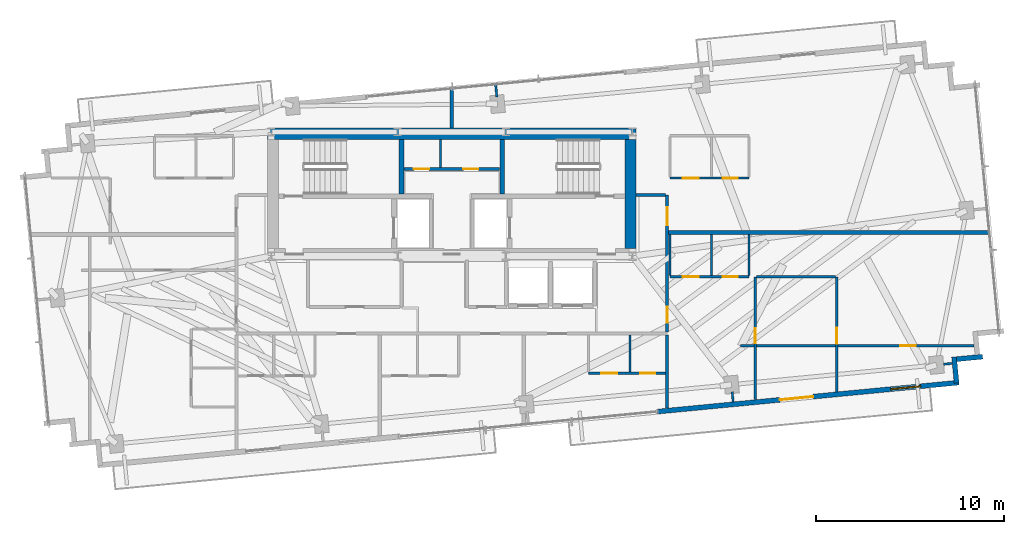
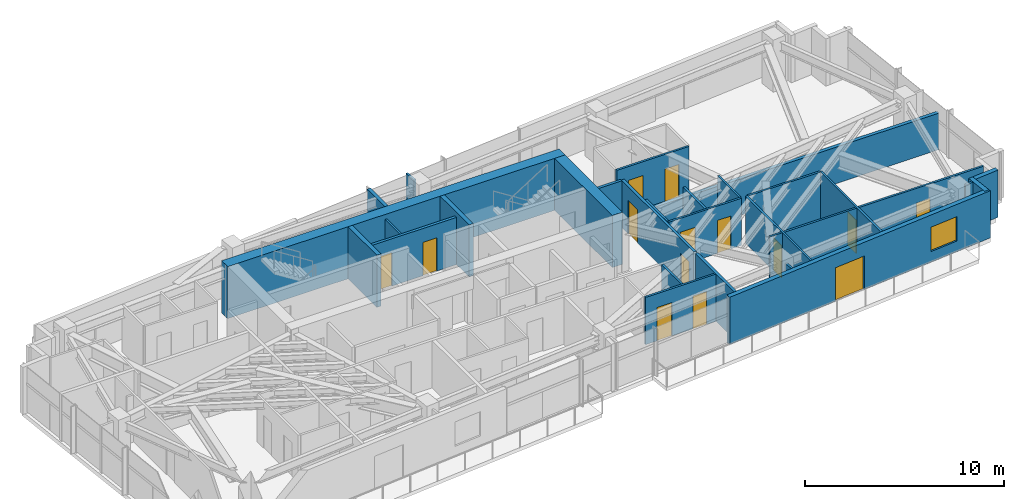
# One storey, part 15 of 18: 30 walls, 14 doors, 1 window, 15 openings.
"""IFC4 building model written with IfcOpenShell, lengths in metres."""

from ifc_helpers import new_model, si_unit, direction, frame, frame_2d, origin, place, context, subcontext, project, spatial, rectangle, extrude, source, transform, mapped, material, layer, layer_set, type_object, type_shapes, element, fill, save


model = new_model("IFC4")

# Units and contexts
model_context = context("Model", 3, precision=1e-05, world=origin(), true_north=direction((0.0, 1.0)))
body_context = subcontext(model_context, "Body", "Model", "MODEL_VIEW")
ifc_project = project(units=[si_unit("LENGTHUNIT", "METRE"), si_unit("AREAUNIT", "SQUARE_METRE"), si_unit("VOLUMEUNIT", "CUBIC_METRE"), si_unit("PLANEANGLEUNIT", "RADIAN"), si_unit("MASSUNIT", "GRAM", prefix="KILO")], contexts=[model_context])

# Site, building, storey
site_placement = place(None, origin())
site = spatial("IfcSite", under=ifc_project, at=site_placement, CompositionType="ELEMENT")
building_placement = place(site_placement, origin())
building = spatial("IfcBuilding", under=site, at=building_placement, Name="Astriad Promenade Condominiums", CompositionType="ELEMENT")
storey_placement = place(building_placement, frame((0.0, 0.0, 208.199951171875)))
storey = spatial("IfcBuildingStorey", under=building, at=storey_placement, Name="L60", CompositionType="ELEMENT", Elevation=208.199951171875)

# Walls
ifc_material_1 = material(Name="Concrete C50/60", Category="concrete")
ifc_layer_1 = layer(ifc_material_1, 0.60009765625)
ifc_layer_set_1 = layer_set([ifc_layer_1], Name="Concrete C50/60")
wall_type_1 = type_object("IfcWallType", Name="CW-SHEAR-600", PredefinedType="SHEAR", material=ifc_layer_set_1)
wall_1_placement = place(storey_placement, frame((26.199951171875, 23.89990234375, 0.0), z_axis=(0.0, 0.0, 1.0), x_axis=(1.0, 0.0, 0.0)))
element("IfcWall", 1, at=wall_1_placement, inside=storey, type_object=wall_type_1, Name="CW-CORE-N-L60", PredefinedType="SHEAR", context=body_context, shape_type="SweptSolid", body=[
    extrude(rectangle(XDim=19.60009765625, YDim=0.60009765625, at=frame_2d((9.800048828125, 0.0))), origin(), (0.0, 0.0, 1.0), 3.199951171875),
])
wall_2_placement = place(storey_placement, frame((45.5, 17.802001953125, 0.0), z_axis=(0.0, 0.0, 1.0), x_axis=(0.0, 1.0, 0.0)))
element("IfcWall", 2, at=wall_2_placement, inside=storey, type_object=wall_type_1, Name="CW-CORE-E-L60", PredefinedType="SHEAR", context=body_context, shape_type="SweptSolid", body=[
    extrude(rectangle(XDim=5.7958984375, YDim=0.60009765625, at=frame_2d((2.89794921875, 0.0))), origin(), (0.0, 0.0, 1.0), 3.199951171875),
])
ifc_layer_2 = layer(ifc_material_1, 0.25)
ifc_layer_set_2 = layer_set([ifc_layer_2], Name="Concrete C50/60")
wall_type_2 = type_object("IfcWallType", Name="WALL-CORE-INT-250", PredefinedType="SOLIDWALL", material=ifc_layer_set_2)
for number, where, z_axis, x_axis, name in (
    (3, (33.324951171875, 20.701904296875, 0.0), (0.0, 0.0, 1.0), (0.0, 1.0, 0.0), "CW-ST1-E-L60"),
    (4, (38.675048828125, 20.701904296875, 0.0), (0.0, 0.0, 1.0), (0.0, 1.0, 0.0), "CW-ST2-W-L60"),
):
    element("IfcWall", number, at=place(storey_placement, frame(where, z_axis=z_axis, x_axis=x_axis)), inside=storey, type_object=wall_type_2, Name=name, PredefinedType="SOLIDWALL", context=body_context, shape_type="SweptSolid", body=[
        extrude(rectangle(XDim=2.89599609375, YDim=0.25, at=frame_2d((1.447998046875, 0.0))), origin(), (0.0, 0.0, 1.0), 3.199951171875),
    ])

# Wall, openings, doors
ifc_material_2 = material(Name="Fire-Rated Gypsum Partition")
ifc_layer_3 = layer(ifc_material_2, 0.159912109375)
ifc_layer_set_3 = layer_set([ifc_layer_3], Name="Fire-Rated Gypsum Partition")
wall_type_3 = type_object("IfcWallType", Name="WALL-CORR-160", PredefinedType="PARTITIONING", material=ifc_layer_set_3)
wall_3_placement = place(storey_placement, frame((33.451904296875, 22.030029296875, 0.0), z_axis=(0.0, 0.0, 1.0), x_axis=(1.0, 0.0, 0.0)))
wall_3 = element("IfcWall", 5, at=wall_3_placement, inside=storey, type_object=wall_type_3, Name="CW-AUX-N-L60", PredefinedType="PARTITIONING", context=body_context, shape_type="SweptSolid", body=[
    extrude(rectangle(XDim=5.09619140625, YDim=0.159912109375, at=frame_2d((2.548095703125, 0.0))), origin(), (0.0, 0.0, 1.0), 2.900146484375),
])
opening_1_placement = place(wall_3_placement, frame((0.5380859375, 0.0, 0.0)))
opening_1 = element("IfcOpeningElement", 6, at=opening_1_placement, cuts=wall_3, Name="Opening FD60-SV-080", PredefinedType="OPENING", context=body_context, shape_type="SweptSolid", body=[
    extrude(rectangle(XDim=0.800048828125, YDim=2.050048828125, at=frame_2d((0.39990234375, 1.02490234375))), frame((0.0, 0.08984375, 0.0), z_axis=(0.0, -1.0, 0.0), x_axis=(1.0, 0.0, 0.0)), (0.0, 0.0, 1.0), 0.179931640625),
])
opening_2_placement = place(wall_3_placement, frame((3.157958984375, 0.0, 0.0)))
opening_2 = element("IfcOpeningElement", 7, at=opening_2_placement, cuts=wall_3, Name="Opening FD60-SV-080", PredefinedType="OPENING", context=body_context, shape_type="SweptSolid", body=[
    extrude(rectangle(XDim=0.800048828125, YDim=2.050048828125, at=frame_2d((0.39990234375, 1.02490234375))), frame((0.0, 0.08984375, 0.0), z_axis=(0.0, -1.0, 0.0), x_axis=(1.0, 0.0, 0.0)), (0.0, 0.0, 1.0), 0.179931640625),
])
ifc_material_3 = material(Name="Fire-Rated Riser Closet Door")
door_type_1 = type_object("IfcDoorType", Name="FD60-SV-080", OperationType="NOTDEFINED", PredefinedType="DOOR", material=ifc_material_3)
shared_shape_1 = source(origin(), body_context, "Body", "SweptSolid", [
    extrude(rectangle(XDim=0.800048828125, YDim=2.050048828125, at=frame_2d((0.39990234375, 1.02490234375))), frame((0.0, 0.02490234375, 0.0), z_axis=(0.0, -1.0, 0.0), x_axis=(1.0, 0.0, 0.0)), (0.0, 0.0, 1.0), 0.050048828125),
])
type_shapes(door_type_1, [shared_shape_1])
door_1_placement = place(opening_1_placement, origin())
door_1 = element("IfcDoor", 8, at=door_1_placement, inside=storey, type_object=door_type_1, Name="D-AUX1-L60", OperationType="SINGLE_SWING_RIGHT", OverallHeight=2.050048828125, OverallWidth=0.800048828125, PredefinedType="DOOR", context=body_context, shape_type="MappedRepresentation", body=[
    mapped(shared_shape_1, transform((0.0, 0.0, 0.0), scale=1.0)),
])
fill(opening_1, door_1)
door_2_placement = place(opening_2_placement, origin())
door_2 = element("IfcDoor", 9, at=door_2_placement, inside=storey, type_object=door_type_1, Name="D-AUX2-L60", OperationType="SINGLE_SWING_LEFT", OverallHeight=2.050048828125, OverallWidth=0.800048828125, PredefinedType="DOOR", context=body_context, shape_type="MappedRepresentation", body=[
    mapped(shared_shape_1, transform((0.0, 0.0, 0.0), scale=1.0)),
])
fill(opening_2, door_2)

# Wall
wall_4_placement = place(storey_placement, frame((47.449951171875, 9.315185546875, 0.0), z_axis=(0.0, 0.0, 1.0), x_axis=(0.0, 1.0, 0.0)))
element("IfcWall", 10, at=wall_4_placement, inside=storey, type_object=wall_type_3, Name="PT-COR-E-L60", PredefinedType="PARTITIONING", context=body_context, shape_type="SweptSolid", body=[
    extrude(rectangle(XDim=3.8828125, YDim=0.159912109375, at=frame_2d((1.94140625, 0.0))), origin(), (0.0, 0.0, 1.0), 2.900146484375),
])

# Wall, openings, doors
wall_5_placement = place(storey_placement, frame((47.449951171875, 13.362060546875, 0.0), z_axis=(0.0, 0.0, 1.0), x_axis=(0.0, 1.0, 0.0)))
wall_5 = element("IfcWall", 11, at=wall_5_placement, inside=storey, type_object=wall_type_3, Name="PT-COR-E-L60-S2", PredefinedType="PARTITIONING", context=body_context, shape_type="SweptSolid", body=[
    extrude(rectangle(XDim=7.287841796875, YDim=0.159912109375, at=frame_2d((3.64404296875, 0.0))), origin(), (0.0, 0.0, 1.0), 2.900146484375),
])
opening_3_placement = place(wall_5_placement, frame((0.492919921875, 0.0, 0.0)))
opening_3 = element("IfcOpeningElement", 12, at=opening_3_placement, cuts=wall_5, Name="Opening FD60-ULOW-085", PredefinedType="OPENING", context=body_context, shape_type="SweptSolid", body=[
    extrude(rectangle(XDim=0.85009765625, YDim=2.0, at=frame_2d((0.425048828125, 1.0))), frame((0.0, 0.08984375, 0.0), z_axis=(0.0, -1.0, 0.0), x_axis=(1.0, 0.0, 0.0)), (0.0, 0.0, 1.0), 0.179931640625),
])
opening_4_placement = place(wall_5_placement, frame((5.680908203125, 0.0, 0.0)))
opening_4 = element("IfcOpeningElement", 13, at=opening_4_placement, cuts=wall_5, Name="Opening FD60-APT-095", PredefinedType="OPENING", context=body_context, shape_type="SweptSolid", body=[
    extrude(rectangle(XDim=0.949951171875, YDim=2.06005859375, at=frame_2d((0.47509765625, 1.030029296875))), frame((0.0, 0.08984375, 0.0), z_axis=(0.0, -1.0, 0.0), x_axis=(1.0, 0.0, 0.0)), (0.0, 0.0, 1.0), 0.179931640625),
])
ifc_material_4 = material(Name="Solid-Core Acoustic Timber Residence Entry Door", Category="wood")
door_type_2 = type_object("IfcDoorType", Name="FD60-APT-095", OperationType="NOTDEFINED", PredefinedType="DOOR", material=ifc_material_4)
shared_shape_2 = source(origin(), body_context, "Body", "SweptSolid", [
    extrude(rectangle(XDim=0.949951171875, YDim=2.06005859375, at=frame_2d((0.47509765625, 1.030029296875))), frame((0.0, 0.02490234375, 0.0), z_axis=(0.0, -1.0, 0.0), x_axis=(1.0, 0.0, 0.0)), (0.0, 0.0, 1.0), 0.050048828125),
])
type_shapes(door_type_2, [shared_shape_2])
door_3_placement = place(opening_4_placement, origin())
door_3 = element("IfcDoor", 14, at=door_3_placement, inside=storey, type_object=door_type_2, Name="D-ENT-L60-E2", OperationType="SINGLE_SWING_RIGHT", OverallHeight=2.06005859375, OverallWidth=0.949951171875, PredefinedType="DOOR", context=body_context, shape_type="MappedRepresentation", body=[
    mapped(shared_shape_2, transform((0.0, 0.0, 0.0), scale=1.0)),
])
fill(opening_4, door_3)
ifc_material_5 = material(Name="Solid-Core Low-Headroom Fire Door")
door_type_3 = type_object("IfcDoorType", Name="FD60-ULOW-085", OperationType="NOTDEFINED", PredefinedType="DOOR", material=ifc_material_5)
shared_shape_3 = source(origin(), body_context, "Body", "SweptSolid", [
    extrude(rectangle(XDim=0.85009765625, YDim=2.0, at=frame_2d((0.425048828125, 1.0))), frame((0.0, 0.02490234375, 0.0), z_axis=(0.0, -1.0, 0.0), x_axis=(1.0, 0.0, 0.0)), (0.0, 0.0, 1.0), 0.050048828125),
])
type_shapes(door_type_3, [shared_shape_3])
door_4_placement = place(opening_3_placement, origin())
door_4 = element("IfcDoor", 15, at=door_4_placement, inside=storey, type_object=door_type_3, Name="D-ENT-L60-E1", OperationType="SINGLE_SWING_RIGHT", OverallHeight=2.0, OverallWidth=0.85009765625, PredefinedType="DOOR", context=body_context, shape_type="MappedRepresentation", body=[
    mapped(shared_shape_3, transform((0.0, 0.0, 0.0), scale=1.0)),
])
fill(opening_3, door_4)

# Walls
wall_6_placement = place(storey_placement, frame((45.802001953125, 20.64990234375, 0.0), z_axis=(0.0, 0.0, 1.0), x_axis=(1.0, 0.0, 0.0)))
element("IfcWall", 16, at=wall_6_placement, inside=storey, type_object=wall_type_3, Name="PT-Z3E-N-L60", PredefinedType="PARTITIONING", context=body_context, shape_type="SweptSolid", body=[
    extrude(rectangle(XDim=1.56591796875, YDim=0.159912109375, at=frame_2d((0.782958984375, 0.0))), origin(), (0.0, 0.0, 1.0), 2.900146484375),
])
ifc_material_6 = material(Name="Acoustic Double-Stud Gypsum Partition")
ifc_layer_4 = layer(ifc_material_6, 0.199951171875)
ifc_layer_set_4 = layer_set([ifc_layer_4], Name="Acoustic Double-Stud Gypsum Partition")
wall_type_4 = type_object("IfcWallType", Name="WALL-DEMISING-200", PredefinedType="PARTITIONING", material=ifc_layer_set_4)
wall_7_placement = place(storey_placement, frame((36.0, 24.201904296875, 0.0), z_axis=(0.0, 0.0, 1.0), x_axis=(0.0, 1.0, 0.0)))
element("IfcWall", 17, at=wall_7_placement, inside=storey, type_object=wall_type_4, Name="PT-NC-MID-L60", PredefinedType="PARTITIONING", context=body_context, shape_type="SweptSolid", body=[
    extrude(rectangle(XDim=2.152099609375, YDim=0.199951171875, at=frame_2d((1.076171875, 0.0))), origin(), (0.0, 0.0, 1.0), 2.900146484375),
])
wall_8_placement = place(storey_placement, frame((47.531982421875, 18.64990234375, 0.0), z_axis=(0.0, 0.0, 1.0), x_axis=(1.0, 0.0, 0.0)))
element("IfcWall", 18, at=wall_8_placement, inside=storey, type_object=wall_type_4, Name="PT-DEM-EE-L60", PredefinedType="PARTITIONING", context=body_context, shape_type="SweptSolid", body=[
    extrude(rectangle(XDim=17.0947265625, YDim=0.199951171875, at=frame_2d((8.54736328125, 0.0))), origin(), (0.0, 0.0, 1.0), 2.241455078125),
])
ifc_material_7 = material(Name="Precast concrete C50/60", Category="concrete")
ifc_layer_5 = layer(ifc_material_7, 0.260009765625)
ifc_layer_set_5 = layer_set([ifc_layer_5], Name="Precast concrete C50/60")
wall_type_5 = type_object("IfcWallType", Name="WALL-EXT-TWR-260", PredefinedType="STANDARD", material=ifc_layer_set_5)
for number, where, z_axis, x_axis, name in (
    (19, (64.21728515625, 12.052734375, 0.0), (0.0, 0.0, 1.0), (-0.99540774648, -0.095725744959, 0.0), "W-SER-L60-16"),
    (20, (62.701904296875, 12.037353515625, 0.0), (0.0, 0.0, 1.0), (0.095725744959, -0.99540774648, 0.0), "W-SER-L60-17"),
):
    element("IfcWall", number, at=place(storey_placement, frame(where, z_axis=z_axis, x_axis=x_axis)), inside=storey, type_object=wall_type_5, Name=name, PredefinedType="STANDARD", context=body_context, shape_type="SweptSolid", body=[
        extrude(rectangle(XDim=1.39501953125, YDim=0.260009765625, at=frame_2d((0.697509765625, 0.0))), origin(), (0.0, 0.0, 1.0), 2.900146484375),
    ])

# Wall, openings, door, window
wall_9_placement = place(storey_placement, frame((62.96337890625, 10.67626953125, 0.0), z_axis=(0.0, 0.0, 1.0), x_axis=(-0.995395627913, -0.095851676732, 0.0)))
wall_9 = element("IfcWall", 21, at=wall_9_placement, inside=storey, type_object=wall_type_5, Name="W-EXT-L60-S1", PredefinedType="STANDARD", context=body_context, shape_type="SweptSolid", body=[
    extrude(rectangle(XDim=16.10009765625, YDim=0.260009765625, at=frame_2d((8.050048828125, 0.0))), origin(), (0.0, 0.0, 1.0), 2.900146484375),
])
opening_5_placement = place(wall_9_placement, frame((7.780029296875, 0.0, 0.0)))
opening_5 = element("IfcOpeningElement", 22, at=opening_5_placement, cuts=wall_9, Name="Opening BD-1822-SLD", PredefinedType="OPENING", context=body_context, shape_type="SweptSolid", body=[
    extrude(rectangle(XDim=1.800048828125, YDim=2.06005859375, at=frame_2d((0.89990234375, 1.030029296875))), frame((0.0, 0.139892578125, 0.0), z_axis=(0.0, -1.0, 0.0), x_axis=(1.0, 0.0, 0.0)), (0.0, 0.0, 1.0), 0.280029296875),
])
opening_6_placement = place(wall_9_placement, frame((2.050048828125, 0.0, 0.64990234375)))
opening_6 = element("IfcOpeningElement", 23, at=opening_6_placement, cuts=wall_9, Name="Opening WIN-TWR-1620", PredefinedType="OPENING", context=body_context, shape_type="SweptSolid", body=[
    extrude(rectangle(XDim=1.60009765625, YDim=1.5, at=frame_2d((0.800048828125, 0.75))), frame((0.0, 0.139892578125, 0.0), z_axis=(0.0, -1.0, 0.0), x_axis=(1.0, 0.0, 0.0)), (0.0, 0.0, 1.0), 0.280029296875),
])
ifc_material_8 = material(Name="Thermally Broken Aluminium Sliding Balcony Door", Category="aluminium")
door_type_4 = type_object("IfcDoorType", Name="BD-1822-SLD", OperationType="NOTDEFINED", PredefinedType="DOOR", material=ifc_material_8)
shared_shape_4 = source(origin(), body_context, "Body", "SweptSolid", [
    extrude(rectangle(XDim=1.800048828125, YDim=2.06005859375, at=frame_2d((0.89990234375, 1.030029296875))), frame((0.0, 0.02490234375, 0.0), z_axis=(0.0, -1.0, 0.0), x_axis=(1.0, 0.0, 0.0)), (0.0, 0.0, 1.0), 0.050048828125),
])
type_shapes(door_type_4, [shared_shape_4])
door_5_placement = place(opening_5_placement, origin())
door_5 = element("IfcDoor", 24, at=door_5_placement, inside=storey, type_object=door_type_4, Name="BD-L60-SE", OperationType="SLIDING_TO_RIGHT", OverallHeight=2.06005859375, OverallWidth=1.800048828125, PredefinedType="DOOR", context=body_context, shape_type="MappedRepresentation", body=[
    mapped(shared_shape_4, transform((0.0, 0.0, 0.0), scale=1.0)),
])
fill(opening_5, door_5)
ifc_material_9 = material(Name="Dark Tinted Triple-Glazed Aluminium Window", Category="aluminium")
window_type = type_object("IfcWindowType", Name="WIN-TWR-1620", PartitioningType="SINGLE_PANEL", PredefinedType="WINDOW", material=ifc_material_9)
shared_shape_5 = source(origin(), body_context, "Body", "SweptSolid", [
    extrude(rectangle(XDim=1.60009765625, YDim=1.5, at=frame_2d((0.800048828125, 0.75))), frame((0.0, 0.030029296875, 0.0), z_axis=(0.0, -1.0, 0.0), x_axis=(1.0, 0.0, 0.0)), (0.0, 0.0, 1.0), 0.06005859375),
])
type_shapes(window_type, [shared_shape_5])
window_placement = place(opening_6_placement, origin())
window = element("IfcWindow", 25, at=window_placement, inside=storey, type_object=window_type, Name="WIN-L60-SE", OverallHeight=1.5, OverallWidth=1.60009765625, PartitioningType="SINGLE_PANEL", PredefinedType="WINDOW", context=body_context, shape_type="MappedRepresentation", body=[
    mapped(shared_shape_5, transform((0.0, 0.0, 0.0), scale=1.0)),
])
fill(opening_6, window)

# Wall
ifc_material_10 = material(Name="Acoustic Metal-Stud Gypsum Partition")
ifc_layer_6 = layer(ifc_material_10, 0.1201171875)
ifc_layer_set_6 = layer_set([ifc_layer_6], Name="Acoustic Metal-Stud Gypsum Partition")
wall_type_6 = type_object("IfcWallType", Name="WALL-PART-120", PredefinedType="PARTITIONING", material=ifc_layer_set_6)
wall_10_placement = place(storey_placement, frame((35.39990234375, 22.112060546875, 0.0), z_axis=(0.0, 0.0, 1.0), x_axis=(0.0, 1.0, 0.0)))
element("IfcWall", 26, at=wall_10_placement, inside=storey, type_object=wall_type_6, Name="CW-AUX-V1-L60", PredefinedType="PARTITIONING", context=body_context, shape_type="SweptSolid", body=[
    extrude(rectangle(XDim=1.48583984375, YDim=0.1201171875, at=frame_2d((0.742919921875, 0.0))), origin(), (0.0, 0.0, 1.0), 2.900146484375),
])

# Wall, openings, doors
wall_11_placement = place(storey_placement, frame((43.27001953125, 11.172119140625, 0.0), z_axis=(0.0, 0.0, 1.0), x_axis=(1.0, 0.0, 0.0)))
wall_11 = element("IfcWall", 27, at=wall_11_placement, inside=storey, type_object=wall_type_6, Name="PT-L60-S3-PS", PredefinedType="PARTITIONING", context=body_context, shape_type="SweptSolid", body=[
    extrude(rectangle(XDim=4.097900390625, YDim=0.1201171875, at=frame_2d((2.048828125, 0.0))), origin(), (0.0, 0.0, 1.0), 2.900146484375),
])
opening_7_placement = place(wall_11_placement, frame((0.675048828125, 0.0, 0.0)))
opening_7 = element("IfcOpeningElement", 28, at=opening_7_placement, cuts=wall_11, Name="Opening D-INT-085", PredefinedType="OPENING", context=body_context, shape_type="SweptSolid", body=[
    extrude(rectangle(XDim=0.85009765625, YDim=2.050048828125, at=frame_2d((0.425048828125, 1.02490234375))), frame((0.0, 0.070068359375, 0.0), z_axis=(0.0, -1.0, 0.0), x_axis=(1.0, 0.0, 0.0)), (0.0, 0.0, 1.0), 0.14013671875),
])
opening_8_placement = place(wall_11_placement, frame((2.75, 0.0, 0.0)))
opening_8 = element("IfcOpeningElement", 29, at=opening_8_placement, cuts=wall_11, Name="Opening D-WET-080", PredefinedType="OPENING", context=body_context, shape_type="SweptSolid", body=[
    extrude(rectangle(XDim=0.800048828125, YDim=2.02001953125, at=frame_2d((0.39990234375, 1.010009765625))), frame((0.0, 0.070068359375, 0.0), z_axis=(0.0, -1.0, 0.0), x_axis=(1.0, 0.0, 0.0)), (0.0, 0.0, 1.0), 0.14013671875),
])
ifc_material_11 = material(Name="Moisture-Resistant Timber Bathroom Door", Category="wood")
door_type_5 = type_object("IfcDoorType", Name="D-WET-080", OperationType="NOTDEFINED", PredefinedType="DOOR", material=ifc_material_11)
shared_shape_6 = source(origin(), body_context, "Body", "SweptSolid", [
    extrude(rectangle(XDim=0.800048828125, YDim=2.02001953125, at=frame_2d((0.39990234375, 1.010009765625))), frame((0.0, 0.02490234375, 0.0), z_axis=(0.0, -1.0, 0.0), x_axis=(1.0, 0.0, 0.0)), (0.0, 0.0, 1.0), 0.050048828125),
])
type_shapes(door_type_5, [shared_shape_6])
door_6_placement = place(opening_8_placement, origin())
door_6 = element("IfcDoor", 30, at=door_6_placement, inside=storey, type_object=door_type_5, Name="D-BTH-L60-S3", OperationType="SINGLE_SWING_RIGHT", OverallHeight=2.02001953125, OverallWidth=0.800048828125, PredefinedType="DOOR", context=body_context, shape_type="MappedRepresentation", body=[
    mapped(shared_shape_6, transform((0.0, 0.0, 0.0), scale=1.0)),
])
fill(opening_8, door_6)
ifc_material_12 = material(Name="Painted Solid-Core Timber Room Door", Category="wood")
door_type_6 = type_object("IfcDoorType", Name="D-INT-085", OperationType="NOTDEFINED", PredefinedType="DOOR", material=ifc_material_12)
shared_shape_7 = source(origin(), body_context, "Body", "SweptSolid", [
    extrude(rectangle(XDim=0.85009765625, YDim=2.050048828125, at=frame_2d((0.425048828125, 1.02490234375))), frame((0.0, 0.02490234375, 0.0), z_axis=(0.0, -1.0, 0.0), x_axis=(1.0, 0.0, 0.0)), (0.0, 0.0, 1.0), 0.050048828125),
])
type_shapes(door_type_6, [shared_shape_7])
door_7_placement = place(opening_7_placement, origin())
door_7 = element("IfcDoor", 31, at=door_7_placement, inside=storey, type_object=door_type_6, Name="D-KIT-L60-S3", OperationType="SINGLE_SWING_LEFT", OverallHeight=2.050048828125, OverallWidth=0.85009765625, PredefinedType="DOOR", context=body_context, shape_type="MappedRepresentation", body=[
    mapped(shared_shape_7, transform((0.0, 0.0, 0.0), scale=1.0)),
])
fill(opening_7, door_7)

# Wall
wall_12_placement = place(storey_placement, frame((45.469970703125, 11.23388671875, 0.0), z_axis=(0.0, 0.0, 1.0), x_axis=(0.0, 1.0, 0.0)))
element("IfcWall", 32, at=wall_12_placement, inside=storey, type_object=wall_type_6, Name="PT-L60-S3-PB", PredefinedType="PARTITIONING", context=body_context, shape_type="SweptSolid", body=[
    extrude(rectangle(XDim=1.964111328125, YDim=0.1201171875, at=frame_2d((0.98193359375, 0.0))), origin(), (0.0, 0.0, 1.0), 2.900146484375),
])

# Wall, openings, doors
wall_13_placement = place(storey_placement, frame((47.60009765625, 16.300048828125, 0.0), z_axis=(0.0, 0.0, 1.0), x_axis=(1.0, 0.0, 0.0)))
wall_13 = element("IfcWall", 33, at=wall_13_placement, inside=storey, type_object=wall_type_6, Name="PT-L60-E1-PH", PredefinedType="PARTITIONING", context=body_context, shape_type="SweptSolid", body=[
    extrude(rectangle(XDim=4.199951171875, YDim=0.1201171875, at=frame_2d((2.10009765625, 0.0))), origin(), (0.0, 0.0, 1.0), 2.900146484375),
])
opening_9_placement = place(wall_13_placement, frame((0.675048828125, 0.0, 0.0)))
opening_9 = element("IfcOpeningElement", 34, at=opening_9_placement, cuts=wall_13, Name="Opening D-INT-085", PredefinedType="OPENING", context=body_context, shape_type="SweptSolid", body=[
    extrude(rectangle(XDim=0.85009765625, YDim=2.050048828125, at=frame_2d((0.425048828125, 1.02490234375))), frame((0.0, 0.070068359375, 0.0), z_axis=(0.0, -1.0, 0.0), x_axis=(1.0, 0.0, 0.0)), (0.0, 0.0, 1.0), 0.14013671875),
])
opening_10_placement = place(wall_13_placement, frame((2.800048828125, 0.0, 0.0)))
opening_10 = element("IfcOpeningElement", 35, at=opening_10_placement, cuts=wall_13, Name="Opening D-WET-080", PredefinedType="OPENING", context=body_context, shape_type="SweptSolid", body=[
    extrude(rectangle(XDim=0.800048828125, YDim=2.02001953125, at=frame_2d((0.39990234375, 1.010009765625))), frame((0.0, 0.070068359375, 0.0), z_axis=(0.0, -1.0, 0.0), x_axis=(1.0, 0.0, 0.0)), (0.0, 0.0, 1.0), 0.14013671875),
])
door_8_placement = place(opening_10_placement, origin())
door_8 = element("IfcDoor", 36, at=door_8_placement, inside=storey, type_object=door_type_5, Name="D-BTH-L60-E1", OperationType="SINGLE_SWING_LEFT", OverallHeight=2.02001953125, OverallWidth=0.800048828125, PredefinedType="DOOR", context=body_context, shape_type="MappedRepresentation", body=[
    mapped(shared_shape_6, transform((0.0, 0.0, 0.0), scale=1.0)),
])
fill(opening_10, door_8)
door_9_placement = place(opening_9_placement, origin())
door_9 = element("IfcDoor", 37, at=door_9_placement, inside=storey, type_object=door_type_6, Name="D-KIT-L60-E1", OperationType="SINGLE_SWING_RIGHT", OverallHeight=2.050048828125, OverallWidth=0.85009765625, PredefinedType="DOOR", context=body_context, shape_type="MappedRepresentation", body=[
    mapped(shared_shape_7, transform((0.0, 0.0, 0.0), scale=1.0)),
])
fill(opening_9, door_9)

# Walls
for number, where, z_axis, x_axis, name in (
    (38, (47.60009765625, 16.362060546875, 0.0), (0.0, 0.0, 1.0), (0.0, 1.0, 0.0), "PT-L60-E1-PK1"),
    (39, (49.800048828125, 16.362060546875, 0.0), (0.0, 0.0, 1.0), (0.0, 1.0, 0.0), "PT-L60-E1-PK2"),
    (40, (51.800048828125, 16.362060546875, 0.0), (0.0, 0.0, 1.0), (0.0, 1.0, 0.0), "PT-L60-E1-PK3"),
):
    element("IfcWall", number, at=place(storey_placement, frame(where, z_axis=z_axis, x_axis=x_axis)), inside=storey, type_object=wall_type_6, Name=name, PredefinedType="PARTITIONING", context=body_context, shape_type="SweptSolid", body=[
        extrude(rectangle(XDim=2.18603515625, YDim=0.1201171875, at=frame_2d((1.093017578125, 0.0))), origin(), (0.0, 0.0, 1.0), 2.900146484375),
    ])

# Wall, opening, door
wall_14_placement = place(storey_placement, frame((52.1298828125, 9.765625, 0.0), z_axis=(0.0, 0.0, 1.0), x_axis=(0.0, 1.0, 0.0)))
wall_14 = element("IfcWall", 41, at=wall_14_placement, inside=storey, type_object=wall_type_6, Name="PT-L60-E1-CAP1", PredefinedType="PARTITIONING", context=body_context, shape_type="SweptSolid", body=[
    extrude(rectangle(XDim=6.534423828125, YDim=0.1201171875, at=frame_2d((3.26708984375, 0.0))), origin(), (0.0, 0.0, 1.0), 2.900146484375),
])
opening_11_placement = place(wall_14_placement, frame((2.9892578125, 0.0, 0.0)))
opening_11 = element("IfcOpeningElement", 42, at=opening_11_placement, cuts=wall_14, Name="Opening D-ULOW-080", PredefinedType="OPENING", context=body_context, shape_type="SweptSolid", body=[
    extrude(rectangle(XDim=0.800048828125, YDim=2.0, at=frame_2d((0.39990234375, 1.0))), frame((0.0, 0.070068359375, 0.0), z_axis=(0.0, -1.0, 0.0), x_axis=(1.0, 0.0, 0.0)), (0.0, 0.0, 1.0), 0.14013671875),
])
ifc_material_13 = material(Name="Painted Timber Low-Headroom Door", Category="wood")
door_type_7 = type_object("IfcDoorType", Name="D-ULOW-080", OperationType="NOTDEFINED", PredefinedType="DOOR", material=ifc_material_13)
shared_shape_8 = source(origin(), body_context, "Body", "SweptSolid", [
    extrude(rectangle(XDim=0.800048828125, YDim=2.0, at=frame_2d((0.39990234375, 1.0))), frame((0.0, 0.02490234375, 0.0), z_axis=(0.0, -1.0, 0.0), x_axis=(1.0, 0.0, 0.0)), (0.0, 0.0, 1.0), 0.050048828125),
])
type_shapes(door_type_7, [shared_shape_8])
door_10_placement = place(opening_11_placement, origin())
door_10 = element("IfcDoor", 43, at=door_10_placement, inside=storey, type_object=door_type_7, Name="D-CAP1-L60-E1", OperationType="SINGLE_SWING_LEFT", OverallHeight=2.0, OverallWidth=0.800048828125, PredefinedType="DOOR", context=body_context, shape_type="MappedRepresentation", body=[
    mapped(shared_shape_8, transform((0.0, 0.0, 0.0), scale=1.0)),
])
fill(opening_11, door_10)

wall_15_placement = place(storey_placement, frame((56.4599609375, 10.1826171875, 0.0), z_axis=(0.0, 0.0, 1.0), x_axis=(0.0, 1.0, 0.0)))
wall_15 = element("IfcWall", 44, at=wall_15_placement, inside=storey, type_object=wall_type_6, Name="PT-L60-E1-CAP2", PredefinedType="PARTITIONING", context=body_context, shape_type="SweptSolid", body=[
    extrude(rectangle(XDim=6.117431640625, YDim=0.1201171875, at=frame_2d((3.05859375, 0.0))), origin(), (0.0, 0.0, 1.0), 2.900146484375),
])
opening_12_placement = place(wall_15_placement, frame((2.556396484375, 0.0, 0.0)))
opening_12 = element("IfcOpeningElement", 45, at=opening_12_placement, cuts=wall_15, Name="Opening D-INT-085", PredefinedType="OPENING", context=body_context, shape_type="SweptSolid", body=[
    extrude(rectangle(XDim=0.85009765625, YDim=2.050048828125, at=frame_2d((0.425048828125, 1.02490234375))), frame((0.0, 0.070068359375, 0.0), z_axis=(0.0, -1.0, 0.0), x_axis=(1.0, 0.0, 0.0)), (0.0, 0.0, 1.0), 0.14013671875),
])
door_11_placement = place(opening_12_placement, origin())
door_11 = element("IfcDoor", 46, at=door_11_placement, inside=storey, type_object=door_type_6, Name="D-CAP2-L60-E1", OperationType="SINGLE_SWING_RIGHT", OverallHeight=2.050048828125, OverallWidth=0.85009765625, PredefinedType="DOOR", context=body_context, shape_type="MappedRepresentation", body=[
    mapped(shared_shape_7, transform((0.0, 0.0, 0.0), scale=1.0)),
])
fill(opening_12, door_11)

# Walls
wall_16_placement = place(storey_placement, frame((52.19189453125, 16.300048828125, 0.0), z_axis=(0.0, 0.0, 1.0), x_axis=(1.0, 0.0, 0.0)))
element("IfcWall", 47, at=wall_16_placement, inside=storey, type_object=wall_type_6, Name="PT-L60-E1-CAP2H", PredefinedType="PARTITIONING", context=body_context, shape_type="SweptSolid", body=[
    extrude(rectangle(XDim=4.2060546875, YDim=0.1201171875, at=frame_2d((2.10302734375, 0.0))), origin(), (0.0, 0.0, 1.0), 2.900146484375),
])
wall_17_placement = place(storey_placement, frame((51.360107421875, 12.637939453125, 0.0), z_axis=(0.0, 0.0, 1.0), x_axis=(1.0, 0.0, 0.0)))
element("IfcWall", 48, at=wall_17_placement, inside=storey, type_object=wall_type_6, Name="PT-L60-E1-CAPH3", PredefinedType="PARTITIONING", context=body_context, shape_type="SweptSolid", body=[
    extrude(rectangle(XDim=0.7080078125, YDim=0.1201171875, at=frame_2d((0.35400390625, 0.0))), origin(), (0.0, 0.0, 1.0), 2.900146484375),
])
wall_18_placement = place(storey_placement, frame((52.19189453125, 12.637939453125, 0.0), z_axis=(0.0, 0.0, 1.0), x_axis=(1.0, 0.0, 0.0)))
element("IfcWall", 49, at=wall_18_placement, inside=storey, type_object=wall_type_6, Name="PT-L60-E1-CAPH3-S2", PredefinedType="PARTITIONING", context=body_context, shape_type="SweptSolid", body=[
    extrude(rectangle(XDim=4.2060546875, YDim=0.1201171875, at=frame_2d((2.10302734375, 0.0))), origin(), (0.0, 0.0, 1.0), 2.900146484375),
])

# Wall, opening, door
wall_19_placement = place(storey_placement, frame((56.52197265625, 12.637939453125, 0.0), z_axis=(0.0, 0.0, 1.0), x_axis=(1.0, 0.0, 0.0)))
wall_19 = element("IfcWall", 50, at=wall_19_placement, inside=storey, type_object=wall_type_6, Name="PT-L60-E1-CAPH3-S3", PredefinedType="PARTITIONING", context=body_context, shape_type="SweptSolid", body=[
    extrude(rectangle(XDim=7.2451171875, YDim=0.1201171875, at=frame_2d((3.62255859375, 0.0))), origin(), (0.0, 0.0, 1.0), 2.900146484375),
])
opening_13_placement = place(wall_19_placement, frame((3.330078125, 0.0, 0.0)))
opening_13 = element("IfcOpeningElement", 51, at=opening_13_placement, cuts=wall_19, Name="Opening D-ULOW-080", PredefinedType="OPENING", context=body_context, shape_type="SweptSolid", body=[
    extrude(rectangle(XDim=0.800048828125, YDim=2.0, at=frame_2d((0.39990234375, 1.0))), frame((0.0, 0.070068359375, 0.0), z_axis=(0.0, -1.0, 0.0), x_axis=(1.0, 0.0, 0.0)), (0.0, 0.0, 1.0), 0.14013671875),
])
door_12_placement = place(opening_13_placement, origin())
door_12 = element("IfcDoor", 52, at=door_12_placement, inside=storey, type_object=door_type_7, Name="D-CAPH3-L60-E1", OperationType="SINGLE_SWING_LEFT", OverallHeight=2.0, OverallWidth=0.800048828125, PredefinedType="DOOR", context=body_context, shape_type="MappedRepresentation", body=[
    mapped(shared_shape_8, transform((0.0, 0.0, 0.0), scale=1.0)),
])
fill(opening_13, door_12)

# Wall, openings, doors
wall_20_placement = place(storey_placement, frame((47.60009765625, 21.550048828125, 0.0), z_axis=(0.0, 0.0, 1.0), x_axis=(1.0, 0.0, 0.0)))
wall_20 = element("IfcWall", 53, at=wall_20_placement, inside=storey, type_object=wall_type_6, Name="PT-L60-E2-PH", PredefinedType="PARTITIONING", context=body_context, shape_type="SweptSolid", body=[
    extrude(rectangle(XDim=4.199951171875, YDim=0.1201171875, at=frame_2d((2.10009765625, 0.0))), origin(), (0.0, 0.0, 1.0), 2.900146484375),
])
opening_14_placement = place(wall_20_placement, frame((0.675048828125, 0.0, 0.0)))
opening_14 = element("IfcOpeningElement", 54, at=opening_14_placement, cuts=wall_20, Name="Opening D-INT-085", PredefinedType="OPENING", context=body_context, shape_type="SweptSolid", body=[
    extrude(rectangle(XDim=0.85009765625, YDim=2.050048828125, at=frame_2d((0.425048828125, 1.02490234375))), frame((0.0, 0.070068359375, 0.0), z_axis=(0.0, -1.0, 0.0), x_axis=(1.0, 0.0, 0.0)), (0.0, 0.0, 1.0), 0.14013671875),
])
opening_15_placement = place(wall_20_placement, frame((2.800048828125, 0.0, 0.0)))
opening_15 = element("IfcOpeningElement", 55, at=opening_15_placement, cuts=wall_20, Name="Opening D-ULOW-080", PredefinedType="OPENING", context=body_context, shape_type="SweptSolid", body=[
    extrude(rectangle(XDim=0.800048828125, YDim=2.0, at=frame_2d((0.39990234375, 1.0))), frame((0.0, 0.070068359375, 0.0), z_axis=(0.0, -1.0, 0.0), x_axis=(1.0, 0.0, 0.0)), (0.0, 0.0, 1.0), 0.14013671875),
])
door_13_placement = place(opening_14_placement, origin())
door_13 = element("IfcDoor", 56, at=door_13_placement, inside=storey, type_object=door_type_6, Name="D-KIT-L60-E2", OperationType="SINGLE_SWING_LEFT", OverallHeight=2.050048828125, OverallWidth=0.85009765625, PredefinedType="DOOR", context=body_context, shape_type="MappedRepresentation", body=[
    mapped(shared_shape_7, transform((0.0, 0.0, 0.0), scale=1.0)),
])
fill(opening_14, door_13)
door_14_placement = place(opening_15_placement, origin())
door_14 = element("IfcDoor", 57, at=door_14_placement, inside=storey, type_object=door_type_7, Name="D-BTH-L60-E2", OperationType="SINGLE_SWING_RIGHT", OverallHeight=2.0, OverallWidth=0.800048828125, PredefinedType="DOOR", context=body_context, shape_type="MappedRepresentation", body=[
    mapped(shared_shape_8, transform((0.0, 0.0, 0.0), scale=1.0)),
])
fill(opening_15, door_14)

# Walls
wall_21_placement = place(storey_placement, frame((50.90478515625, 10.18798828125, 0.0), z_axis=(0.0, 0.0, 1.0), x_axis=(0.095772948675, -0.995403205893, 0.0)))
element("IfcWall", 58, at=wall_21_placement, inside=storey, type_object=wall_type_6, Name="PT-PIL-L60-PC04-11", PredefinedType="PARTITIONING", context=body_context, shape_type="SweptSolid", body=[
    extrude(rectangle(XDim=0.537841796875, YDim=0.1201171875, at=frame_2d((0.26904296875, 0.0))), origin(), (0.0, 0.0, 1.0), 2.900146484375),
])
wall_22_placement = place(storey_placement, frame((62.146240234375, 11.65234375, 0.0), z_axis=(0.0, 0.0, 1.0), x_axis=(0.995384576284, 0.09596637586, 0.0)))
element("IfcWall", 59, at=wall_22_placement, inside=storey, type_object=wall_type_6, Name="PT-PIL-L60-PC05-12", PredefinedType="PARTITIONING", context=body_context, shape_type="SweptSolid", body=[
    extrude(rectangle(XDim=0.4580078125, YDim=0.1201171875, at=frame_2d((0.22900390625, 0.0))), origin(), (0.0, 0.0, 1.0), 2.900146484375),
])
wall_23_placement = place(storey_placement, frame((38.39501953125, 25.861328125, 0.0), z_axis=(0.0, 0.0, 1.0), x_axis=(-0.095977354523, 0.995383517755, 0.0)))
element("IfcWall", 60, at=wall_23_placement, inside=storey, type_object=wall_type_6, Name="PT-PIL-L60-PC08-15", PredefinedType="PARTITIONING", context=body_context, shape_type="SweptSolid", body=[
    extrude(rectangle(XDim=0.719970703125, YDim=0.1201171875, at=frame_2d((0.35986328125, 0.0))), origin(), (0.0, 0.0, 1.0), 2.900146484375),
])

save(model, "model.ifc")
